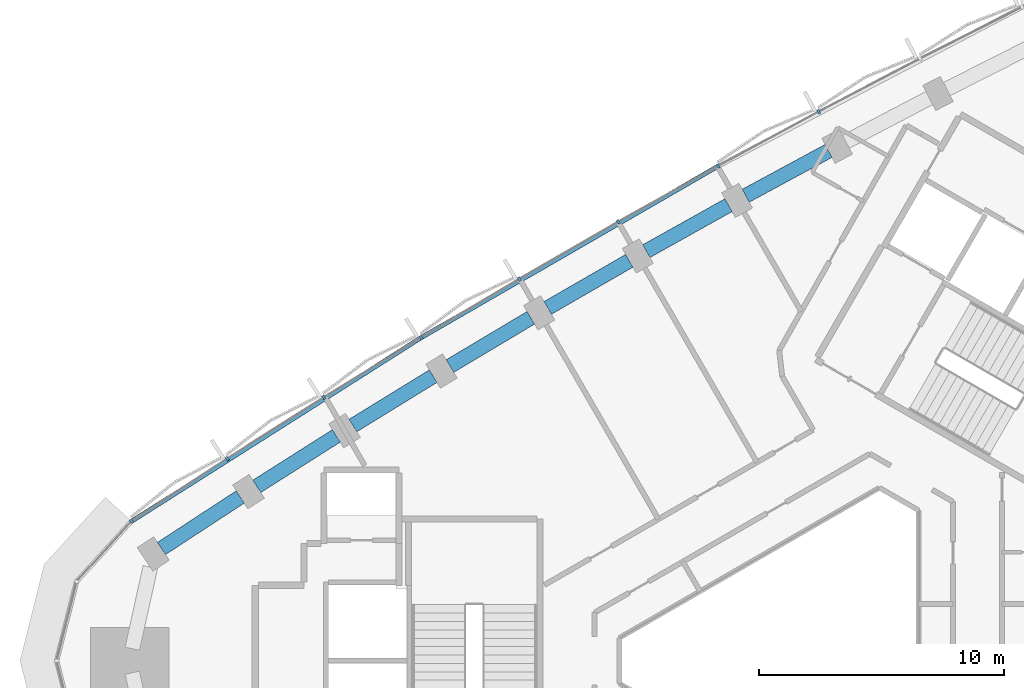
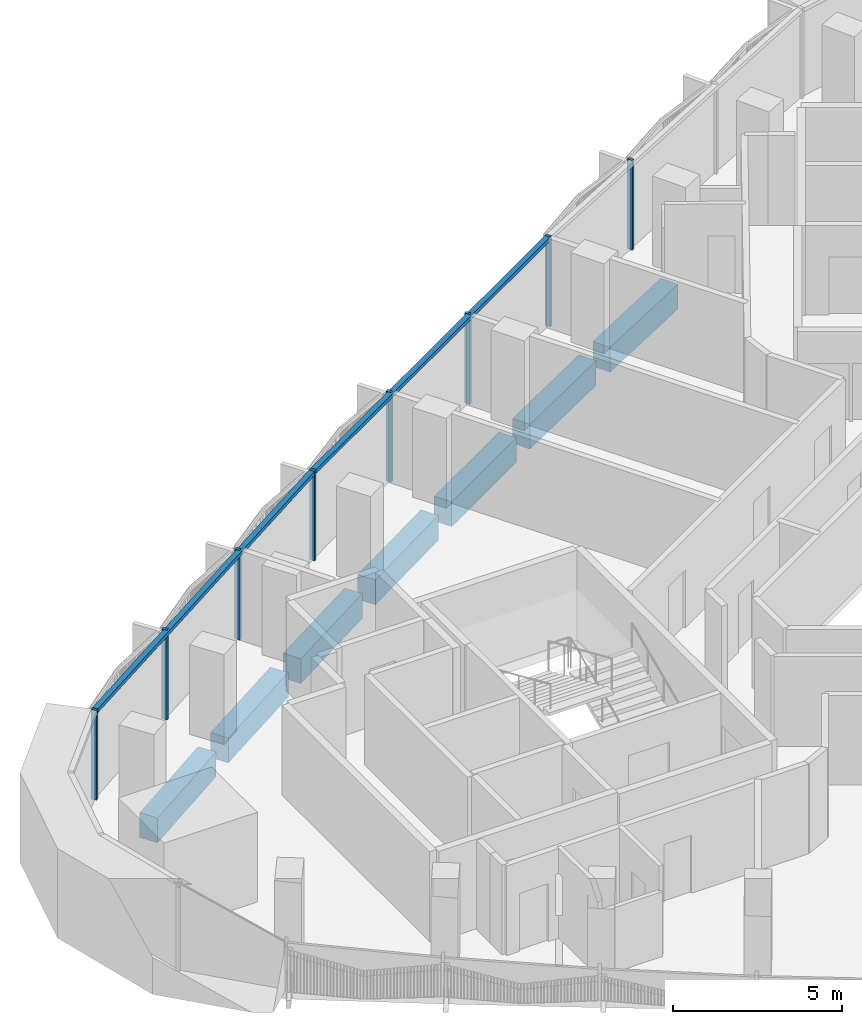
# One storey, part 4 of 13: 10 members, 7 beams, 1 element without a shape of its own.
"""IFC4 building model written with IfcOpenShell, lengths in metres."""

from ifc_helpers import new_model, si_unit, direction, frame, origin, origin_2d, place, context, subcontext, project, spatial, rectangle, extrude, material, material_profile, profile_set, type_object, element, aggregate, save


model = new_model("IFC4")

# Units and contexts
model_context = context("Model", 3, precision=1e-05, world=origin(), true_north=direction((0.0, 1.0)))
body_context = subcontext(model_context, "Body", "Model", "MODEL_VIEW")
ifc_project = project(units=[si_unit("LENGTHUNIT", "METRE"), si_unit("AREAUNIT", "SQUARE_METRE"), si_unit("VOLUMEUNIT", "CUBIC_METRE"), si_unit("PLANEANGLEUNIT", "RADIAN"), si_unit("MASSUNIT", "GRAM", prefix="KILO")], contexts=[model_context])

# Site, building, storey
site_placement = place(None, origin())
site = spatial("IfcSite", under=ifc_project, at=site_placement, CompositionType="ELEMENT")
building_placement = place(site_placement, origin())
building = spatial("IfcBuilding", under=site, at=building_placement, Name="Tamra Quay Hotel Tower", CompositionType="ELEMENT")
storey_placement = place(building_placement, frame((0.0, 0.0, 182.800048828125)))
storey = spatial("IfcBuildingStorey", under=building, at=storey_placement, Name="L45", CompositionType="ELEMENT", Elevation=182.800048828125)

# Curtain wall, members
ifc_material_1 = material(Name="Aluminium 6063 anodised dark grey", Category="aluminium")
curtain_wall_type = type_object("IfcCurtainWallType", Name="CW2 CURTAIN WALL", PredefinedType="NOTDEFINED", material=ifc_material_1)
curtain_wall_placement = place(storey_placement, origin())
curtain_wall = element("IfcCurtainWall", 1, at=curtain_wall_placement, inside=storey, type_object=curtain_wall_type, Name="CW2 north-west face L45", PredefinedType="NOTDEFINED")
ifc_material_profile_1 = material_profile(ifc_material_1, rectangle(XDim=0.179931640625, YDim=0.10009765625, at=origin_2d()), Name="MULLION 100X180")
ifc_profile_set_1 = profile_set([ifc_material_profile_1], Name="Aluminium 6063 anodised dark grey")
member_type_1 = type_object("IfcMemberType", Name="MULLION CW2 Z4", PredefinedType="MULLION", material=ifc_profile_set_1)
member_1_placement = place(storey_placement, frame((0.52783203125, 22.379638671875, 0.0), z_axis=(0.0, 0.0, 1.0), x_axis=(-0.469667598909, 0.882843330685, 0.0)))
member_1 = element("IfcMember", 2, at=member_1_placement, type_object=member_type_1, Name="CW2 mullion L45.NW.3", PredefinedType="MULLION", context=body_context, shape_type="SweptSolid", body=[
    extrude(rectangle(XDim=0.179931640625, YDim=0.10009765625, at=origin_2d()), origin(), (0.0, 0.0, 1.0), 3.25),
])
member_2_placement = place(storey_placement, frame((-3.5703125, 20.162841796875, 0.0), z_axis=(0.0, 0.0, 1.0), x_axis=(-0.481860669962, 0.876247850065, 0.0)))
member_2 = element("IfcMember", 3, at=member_2_placement, type_object=member_type_1, Name="CW2 mullion L45.NW.4", PredefinedType="MULLION", context=body_context, shape_type="SweptSolid", body=[
    extrude(rectangle(XDim=0.179931640625, YDim=0.10009765625, at=origin_2d()), origin(), (0.0, 0.0, 1.0), 3.25),
])
member_3_placement = place(storey_placement, frame((-7.637939453125, 17.88916015625, 0.0), z_axis=(0.0, 0.0, 1.0), x_axis=(-0.493974991142, 0.869476111303, 0.0)))
member_3 = element("IfcMember", 4, at=member_3_placement, type_object=member_type_1, Name="CW2 mullion L45.NW.5", PredefinedType="MULLION", context=body_context, shape_type="SweptSolid", body=[
    extrude(rectangle(XDim=0.179931640625, YDim=0.10009765625, at=origin_2d()), origin(), (0.0, 0.0, 1.0), 3.25),
])
member_4_placement = place(storey_placement, frame((-11.673583984375, 15.559326171875, 0.0), z_axis=(0.0, 0.0, 1.0), x_axis=(-0.506000904801, 0.862532946814, 0.0)))
member_4 = element("IfcMember", 5, at=member_4_placement, type_object=member_type_1, Name="CW2 mullion L45.NW.6", PredefinedType="MULLION", context=body_context, shape_type="SweptSolid", body=[
    extrude(rectangle(XDim=0.179931640625, YDim=0.10009765625, at=origin_2d()), origin(), (0.0, 0.0, 1.0), 3.25),
])
member_5_placement = place(storey_placement, frame((-15.676513671875, 13.17333984375, 0.0), z_axis=(0.0, 0.0, 1.0), x_axis=(-0.517922563187, 0.855427506304, 0.0)))
member_5 = element("IfcMember", 6, at=member_5_placement, type_object=member_type_1, Name="CW2 mullion L45.NW.7", PredefinedType="MULLION", context=body_context, shape_type="SweptSolid", body=[
    extrude(rectangle(XDim=0.179931640625, YDim=0.10009765625, at=origin_2d()), origin(), (0.0, 0.0, 1.0), 3.25),
])
member_6_placement = place(storey_placement, frame((-19.645263671875, 10.732666015625, 0.0), z_axis=(0.0, 0.0, 1.0), x_axis=(-0.52973095248, 0.848165737332, 0.0)))
member_6 = element("IfcMember", 7, at=member_6_placement, type_object=member_type_1, Name="CW2 mullion L45.NW.8", PredefinedType="MULLION", context=body_context, shape_type="SweptSolid", body=[
    extrude(rectangle(XDim=0.179931640625, YDim=0.10009765625, at=origin_2d()), origin(), (0.0, 0.0, 1.0), 3.25),
])
member_7_placement = place(storey_placement, frame((-23.580322265625, 8.23681640625, 0.0), z_axis=(0.0, 0.0, 1.0), x_axis=(-0.541421874538, 0.840751065282, 0.0)))
member_7 = element("IfcMember", 8, at=member_7_placement, type_object=member_type_1, Name="CW2 mullion L45.NW.9", PredefinedType="MULLION", context=body_context, shape_type="SweptSolid", body=[
    extrude(rectangle(XDim=0.179931640625, YDim=0.10009765625, at=origin_2d()), origin(), (0.0, 0.0, 1.0), 3.25),
])
member_8_placement = place(storey_placement, frame((-27.48046875, 5.687255859375, 0.0), z_axis=(0.0, 0.0, 1.0), x_axis=(-0.648381346761, 0.7613157224, 0.0)))
member_8 = element("IfcMember", 9, at=member_8_placement, type_object=member_type_1, Name="CW2 mullion L45.NW.10", PredefinedType="MULLION", context=body_context, shape_type="SweptSolid", body=[
    extrude(rectangle(XDim=0.179931640625, YDim=0.10009765625, at=origin_2d()), origin(), (0.0, 0.0, 1.0), 3.25),
])

# Beams
ifc_material_2 = material(Name="Concrete M60", Category="concrete")
ifc_material_profile_2 = material_profile(ifc_material_2, rectangle(XDim=0.60009765625, YDim=0.89990234375, at=origin_2d()), Name="SPANDREL BEAM RC 600x900")
ifc_profile_set_2 = profile_set([ifc_material_profile_2], Name="Concrete M60")
beam_type = type_object("IfcBeamType", Name="SPANDREL BEAM RC 600x900", PredefinedType="SPANDREL", material=ifc_profile_set_2)
beam_1_placement = place(storey_placement, frame((0.927490234375, 20.77783203125, -0.800048828125), z_axis=(-0.879589264525, -0.475733881211, 0.0), x_axis=(0.475733881211, -0.879589264525, 0.0)))
element("IfcBeam", 10, at=beam_1_placement, inside=storey, type_object=beam_type, Name="BM-SP4-013-L45", PredefinedType="SPANDREL", context=body_context, shape_type="SweptSolid", body=[
    extrude(rectangle(XDim=0.60009765625, YDim=0.89990234375, at=origin_2d()), origin(), (0.0, 0.0, 1.0), 3.838134765625),
])
for number, where, z_axis, x_axis, name in (
    (11, (-3.1494140625, 18.56640625, -0.800048828125), (-0.872890885292, -0.487915466422, 0.0), (0.487915466422, -0.872890885292, 0.0), "BM-SP4-014-L45"),
    (12, (-7.194580078125, 16.298828125, -0.800048828125), (-0.866022424722, -0.500005159851, 0.0), (0.500005159851, -0.866022424722, 0.0), "BM-SP4-015-L45"),
):
    element("IfcBeam", number, at=place(storey_placement, frame(where, z_axis=z_axis, x_axis=x_axis)), inside=storey, type_object=beam_type, Name=name, PredefinedType="SPANDREL", context=body_context, shape_type="SweptSolid", body=[
        extrude(rectangle(XDim=0.60009765625, YDim=0.89990234375, at=origin_2d()), origin(), (0.0, 0.0, 1.0), 3.83740234375),
    ])
beam_2_placement = place(storey_placement, frame((-11.2080078125, 13.975341796875, -0.800048828125), z_axis=(-0.858982487636, -0.512004966708, 0.0), x_axis=(0.512004966708, -0.858982487636, 0.0)))
element("IfcBeam", 13, at=beam_2_placement, inside=storey, type_object=beam_type, Name="BM-SP4-016-L45", PredefinedType="SPANDREL", context=body_context, shape_type="SweptSolid", body=[
    extrude(rectangle(XDim=0.60009765625, YDim=0.89990234375, at=origin_2d()), origin(), (0.0, 0.0, 1.0), 3.837646484375),
])
beam_3_placement = place(storey_placement, frame((-15.188720703125, 11.59619140625, -0.800048828125), z_axis=(-0.851817714835, -0.523838315411, 0.0), x_axis=(0.523838315411, -0.851817714835, 0.0)))
element("IfcBeam", 14, at=beam_3_placement, inside=storey, type_object=beam_type, Name="BM-SP4-017-L45", PredefinedType="SPANDREL", context=body_context, shape_type="SweptSolid", body=[
    extrude(rectangle(XDim=0.60009765625, YDim=0.89990234375, at=origin_2d()), origin(), (0.0, 0.0, 1.0), 3.837890625),
])
for number, where, z_axis, x_axis, name in (
    (15, (-19.136474609375, 9.162109375, -0.800048828125), (-0.844469978785, -0.535602889211, 0.0), (0.535602889211, -0.844469978785, 0.0), "BM-SP4-018-L45"),
    (16, (-23.0498046875, 6.673583984375, -0.800048828125), (-0.836969613974, -0.547249362983, 0.0), (0.547249362983, -0.836969613974, 0.0), "BM-SP4-019-L45"),
):
    element("IfcBeam", number, at=place(storey_placement, frame(where, z_axis=z_axis, x_axis=x_axis)), inside=storey, type_object=beam_type, Name=name, PredefinedType="SPANDREL", context=body_context, shape_type="SweptSolid", body=[
        extrude(rectangle(XDim=0.60009765625, YDim=0.89990234375, at=origin_2d()), origin(), (0.0, 0.0, 1.0), 3.837646484375),
    ])

# Member
ifc_material_profile_3 = material_profile(ifc_material_1, rectangle(XDim=0.179931640625, YDim=0.139892578125, at=origin_2d()), Name="TRANSOM 180X140")
ifc_profile_set_3 = profile_set([ifc_material_profile_3], Name="Aluminium 6063 anodised dark grey")
member_type_2 = type_object("IfcMemberType", Name="TRANSOM CW2 Z4", PredefinedType="USERDEFINED", material=ifc_profile_set_3)
member_9_placement = place(storey_placement, frame((-3.614013671875, 20.138671875, 3.179931640625), z_axis=(-0.866018612845, -0.500011762068, 0.0), x_axis=(0.500011762068, -0.866018612845, 0.0)))
member_9 = element("IfcMember", 17, at=member_9_placement, type_object=member_type_2, Name="CW2 transom L45.NW.4", ObjectType="TRANSOM", PredefinedType="USERDEFINED", context=body_context, shape_type="SweptSolid", body=[
    extrude(rectangle(XDim=0.179931640625, YDim=0.139892578125, at=origin_2d()), origin(), (0.0, 0.0, 1.0), 13.879150390625),
])

member_10_placement = place(storey_placement, frame((-15.718994140625, 13.147216796875, 3.179931640625), z_axis=(-0.844484125962, -0.535580583105, 0.0), x_axis=(0.535580583105, -0.844484125962, 0.0)))
member_10 = element("IfcMember", 18, at=member_10_placement, type_object=member_type_2, Name="CW2 transom L45.NW.7", ObjectType="TRANSOM", PredefinedType="USERDEFINED", context=body_context, shape_type="SweptSolid", body=[
    extrude(rectangle(XDim=0.179931640625, YDim=0.139892578125, at=origin_2d()), origin(), (0.0, 0.0, 1.0), 13.877685546875),
])

aggregate(curtain_wall, [member_1, member_2, member_9, member_3, member_4, member_5, member_10, member_6, member_7, member_8])

save(model, "model.ifc")
